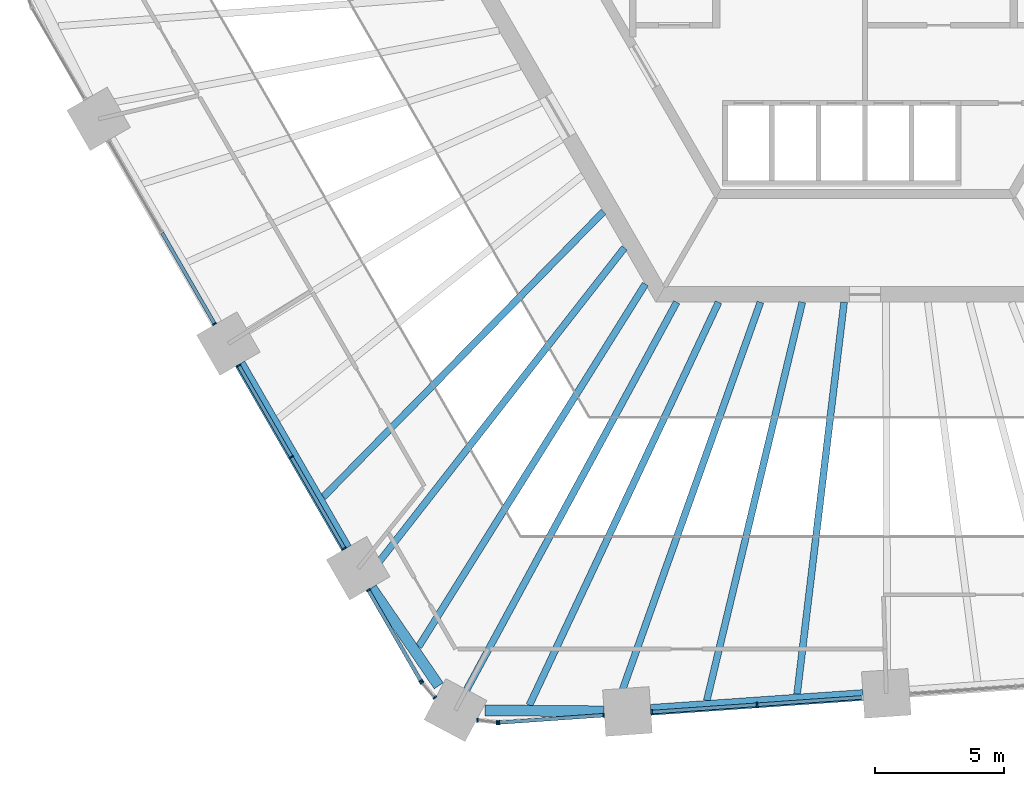
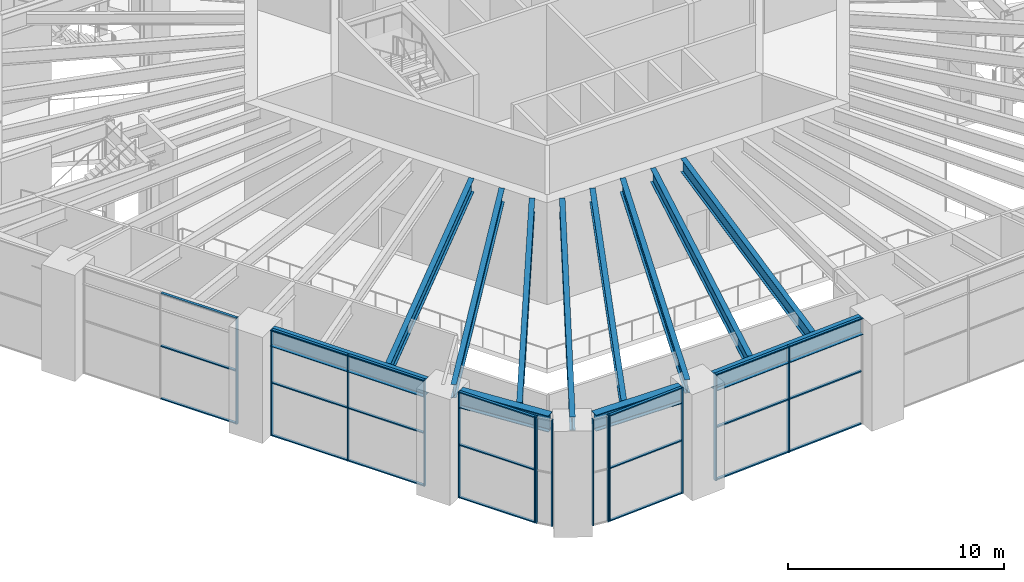
# One storey, part 3 of 32: 35 members, 12 beams, 7 elements without a shape of their own.
"""IFC4 building model written with IfcOpenShell, lengths in metres."""

from ifc_helpers import new_model, si_unit, direction, frame, origin, origin_2d, place, context, subcontext, project, spatial, rectangle, i_section, extrude, material, material_profile, profile_set, type_object, element, aggregate, save


model = new_model("IFC4")

# Units and contexts
model_context = context("Model", 3, precision=1e-05, world=origin(), true_north=direction((0.0, 1.0)))
body_context = subcontext(model_context, "Body", "Model", "MODEL_VIEW")
ifc_project = project(units=[si_unit("LENGTHUNIT", "METRE"), si_unit("AREAUNIT", "SQUARE_METRE"), si_unit("VOLUMEUNIT", "CUBIC_METRE"), si_unit("PLANEANGLEUNIT", "RADIAN"), si_unit("MASSUNIT", "GRAM", prefix="KILO")], contexts=[model_context])

# Site, building, storey
site_placement = place(None, origin())
site = spatial("IfcSite", under=ifc_project, at=site_placement, CompositionType="ELEMENT")
building_placement = place(site_placement, origin())
building = spatial("IfcBuilding", under=site, at=building_placement, Name="Tarnside Tower", CompositionType="ELEMENT")
storey_placement = place(building_placement, frame((0.0, 0.0, 9.0)))
storey = spatial("IfcBuildingStorey", under=building, at=storey_placement, Name="L01", CompositionType="ELEMENT", Elevation=9.0)

# Beams
ifc_material_1 = material(Name="Steel S355", Category="steel")
ifc_material_profile_1 = material_profile(ifc_material_1, i_section(OverallWidth=0.26513671875, OverallDepth=0.75390625, WebThickness=0.0126953125, FlangeThickness=0.017578125, FilletRadius=0.0166015625, at=origin_2d()), Name="UB 762x267x147")
ifc_profile_set_1 = profile_set([ifc_material_profile_1], Name="Steel S355")
beam_type_1 = type_object("IfcBeamType", Name="Floor beam UB 762x267x147", PredefinedType="BEAM", material=ifc_profile_set_1)
beam_1_placement = place(storey_placement, frame((-20.9296875, -21.528076171875, 5.373046875), z_axis=(0.700544155211, 0.713609057258, 0.0), x_axis=(-0.713609057258, 0.700544155211, 0.0)))
element("IfcBeam", 1, at=beam_1_placement, inside=storey, type_object=beam_type_1, Name="Floor beam F3.07", PredefinedType="BEAM", context=body_context, shape_type="SweptSolid", body=[
    extrude(i_section(OverallWidth=0.26513671875, OverallDepth=0.75390625, WebThickness=0.0126953125, FlangeThickness=0.017578125, FilletRadius=0.0166015625, at=origin_2d()), origin(), (0.0, 0.0, 1.0), 15.453857421875),
])
beam_2_placement = place(storey_placement, frame((-6.113037109375, -29.3876953125, 5.373046875), z_axis=(0.233085254069, 0.972456304589, 0.0), x_axis=(-0.972456304589, 0.233085254069, 0.0)))
element("IfcBeam", 2, at=beam_2_placement, inside=storey, type_object=beam_type_1, Name="Floor beam F4.03", PredefinedType="BEAM", context=body_context, shape_type="SweptSolid", body=[
    extrude(i_section(OverallWidth=0.26513671875, OverallDepth=0.75390625, WebThickness=0.0126953125, FlangeThickness=0.017578125, FilletRadius=0.0166015625, at=origin_2d()), origin(), (0.0, 0.0, 1.0), 15.823486328125),
])
beam_3_placement = place(storey_placement, frame((-2.62451171875, -29.143798828125, 5.373046875), z_axis=(0.119074527858, 0.992885319065, 0.0), x_axis=(-0.992885319065, 0.119074527858, 0.0)))
element("IfcBeam", 3, at=beam_3_placement, inside=storey, type_object=beam_type_1, Name="Floor beam F4.04", PredefinedType="BEAM", context=body_context, shape_type="SweptSolid", body=[
    extrude(i_section(OverallWidth=0.26513671875, OverallDepth=0.75390625, WebThickness=0.0126953125, FlangeThickness=0.017578125, FilletRadius=0.0166015625, at=origin_2d()), origin(), (0.0, 0.0, 1.0), 15.252197265625),
])
ifc_material_profile_2 = material_profile(ifc_material_1, i_section(OverallWidth=0.2666015625, OverallDepth=0.76220703125, WebThickness=0.014404296875, FlangeThickness=0.021484375, FilletRadius=0.0166015625, at=origin_2d()), Name="UB 762x267x173")
ifc_profile_set_2 = profile_set([ifc_material_profile_2], Name="Steel S355")
beam_type_2 = type_object("IfcBeamType", Name="Floor beam UB 762x267x173", PredefinedType="BEAM", material=ifc_profile_set_2)
beam_4_placement = place(storey_placement, frame((-19.159912109375, -24.52587890625, 5.368896484375), z_axis=(0.615661783207, 0.788010513063, 0.0), x_axis=(-0.788010513063, 0.615661783207, 0.0)))
element("IfcBeam", 4, at=beam_4_placement, inside=storey, type_object=beam_type_2, Name="Floor beam F3.08", PredefinedType="BEAM", context=body_context, shape_type="SweptSolid", body=[
    extrude(i_section(OverallWidth=0.2666015625, OverallDepth=0.76220703125, WebThickness=0.014404296875, FlangeThickness=0.021484375, FilletRadius=0.0166015625, at=origin_2d()), origin(), (0.0, 0.0, 1.0), 16.022705078125),
])
beam_5_placement = place(storey_placement, frame((-17.248779296875, -27.31103515625, 5.368896484375), z_axis=(0.530210075877, 0.847866307526, 0.0), x_axis=(-0.847866307526, 0.530210075877, 0.0)))
element("IfcBeam", 5, at=beam_5_placement, inside=storey, type_object=beam_type_2, Name="Floor beam F3.09", PredefinedType="BEAM", context=body_context, shape_type="SweptSolid", body=[
    extrude(i_section(OverallWidth=0.2666015625, OverallDepth=0.76220703125, WebThickness=0.014404296875, FlangeThickness=0.021484375, FilletRadius=0.0166015625, at=origin_2d()), origin(), (0.0, 0.0, 1.0), 16.52490234375),
])
beam_6_placement = place(storey_placement, frame((-15.70458984375, -29.550537109375, 5.368896484375), z_axis=(0.476577025957, 0.879132719406, 0.0), x_axis=(-0.879132719406, 0.476577025957, 0.0)))
element("IfcBeam", 6, at=beam_6_placement, inside=storey, type_object=beam_type_2, Name="Floor beam C3", PredefinedType="BEAM", context=body_context, shape_type="SweptSolid", body=[
    extrude(i_section(OverallWidth=0.2666015625, OverallDepth=0.76220703125, WebThickness=0.014404296875, FlangeThickness=0.021484375, FilletRadius=0.0166015625, at=origin_2d()), origin(), (0.0, 0.0, 1.0), 17.6884765625),
])
beam_7_placement = place(storey_placement, frame((-12.9677734375, -29.572265625, 5.368896484375), z_axis=(0.424925412272, 0.905228365665, 0.0), x_axis=(-0.905228365665, 0.424925412272, 0.0)))
element("IfcBeam", 7, at=beam_7_placement, inside=storey, type_object=beam_type_2, Name="Floor beam F4.01", PredefinedType="BEAM", context=body_context, shape_type="SweptSolid", body=[
    extrude(i_section(OverallWidth=0.2666015625, OverallDepth=0.76220703125, WebThickness=0.014404296875, FlangeThickness=0.021484375, FilletRadius=0.0166015625, at=origin_2d()), origin(), (0.0, 0.0, 1.0), 17.20263671875),
])
beam_8_placement = place(storey_placement, frame((-9.59130859375, -29.599365234375, 5.368896484375), z_axis=(0.335190018245, 0.942150546181, 0.0), x_axis=(-0.942150546181, 0.335190018245, 0.0)))
element("IfcBeam", 8, at=beam_8_placement, inside=storey, type_object=beam_type_2, Name="Floor beam F4.02", PredefinedType="BEAM", context=body_context, shape_type="SweptSolid", body=[
    extrude(i_section(OverallWidth=0.2666015625, OverallDepth=0.76220703125, WebThickness=0.014404296875, FlangeThickness=0.021484375, FilletRadius=0.0166015625, at=origin_2d()), origin(), (0.0, 0.0, 1.0), 16.55712890625),
])

# Curtain wall, members
ifc_material_2 = material(Name="Lobby entrance glazing wall", Category="glass")
curtain_wall_type_1 = type_object("IfcCurtainWallType", Name="Lobby entrance glazing wall", PredefinedType="NOTDEFINED", material=ifc_material_2)
curtain_wall_1_placement = place(storey_placement, origin())
curtain_wall_1 = element("IfcCurtainWall", 9, at=curtain_wall_1_placement, inside=storey, type_object=curtain_wall_type_1, Name="Lobby entrance glazing L01 12.0", PredefinedType="NOTDEFINED")
ifc_material_3 = material(Name="Aluminium alloy 6063", Category="aluminium")
ifc_material_profile_3 = material_profile(ifc_material_3, rectangle(XDim=0.179931640625, YDim=0.070068359375, at=origin_2d()), Name="Lobby entrance glazing mullion 70 x 180")
ifc_profile_set_3 = profile_set([ifc_material_profile_3], Name="Aluminium alloy 6063")
member_type_1 = type_object("IfcMemberType", Name="Lobby entrance glazing mullion 70 x 180", PredefinedType="MULLION", material=ifc_profile_set_3)
member_1_placement = place(storey_placement, frame((-8.238525390625, -29.83740234375, -0.25), z_axis=(0.0, 0.0, 1.0), x_axis=(-0.069756473779, 0.997564050257, 0.0)))
member_1 = element("IfcMember", 10, at=member_1_placement, type_object=member_type_1, Name="CW3 mullion 1", PredefinedType="MULLION", context=body_context, shape_type="SweptSolid", body=[
    extrude(rectangle(XDim=0.179931640625, YDim=0.070068359375, at=origin_2d()), origin(), (0.0, 0.0, 1.0), 6.0),
])
member_2_placement = place(storey_placement, frame((-4.171630859375, -29.552978515625, -0.25), z_axis=(0.0, 0.0, 1.0), x_axis=(-0.069756473779, 0.997564050257, 0.0)))
member_2 = element("IfcMember", 11, at=member_2_placement, type_object=member_type_1, Name="CW3 mullion 2", PredefinedType="MULLION", context=body_context, shape_type="SweptSolid", body=[
    extrude(rectangle(XDim=0.179931640625, YDim=0.070068359375, at=origin_2d()), origin(), (0.0, 0.0, 1.0), 6.0),
])
ifc_material_profile_4 = material_profile(ifc_material_3, rectangle(XDim=0.139892578125, YDim=0.070068359375, at=origin_2d()), Name="Lobby entrance glazing transom 70 x 140")
ifc_profile_set_4 = profile_set([ifc_material_profile_4], Name="Aluminium alloy 6063")
member_type_2 = type_object("IfcMemberType", Name="Lobby entrance glazing transom 70 x 140", PredefinedType="USERDEFINED", material=ifc_profile_set_4)
member_3_placement = place(storey_placement, frame((-8.20361328125, -29.8349609375, -0.215087890625), z_axis=(0.997563379301, 0.069766068245, 0.0), x_axis=(-0.069766068245, 0.997563379301, 0.0)))
member_3 = element("IfcMember", 12, at=member_3_placement, type_object=member_type_2, Name="CW3 transom 1.1", ObjectType="TRANSOM", PredefinedType="USERDEFINED", context=body_context, shape_type="SweptSolid", body=[
    extrude(rectangle(XDim=0.139892578125, YDim=0.070068359375, at=origin_2d()), origin(), (0.0, 0.0, 1.0), 4.0068359375),
])
member_4_placement = place(storey_placement, frame((-8.20361328125, -29.8349609375, 2.75), z_axis=(0.997563379301, 0.069766068245, 0.0), x_axis=(-0.069766068245, 0.997563379301, 0.0)))
member_4 = element("IfcMember", 13, at=member_4_placement, type_object=member_type_2, Name="CW3 transom 1.2", ObjectType="TRANSOM", PredefinedType="USERDEFINED", context=body_context, shape_type="SweptSolid", body=[
    extrude(rectangle(XDim=0.139892578125, YDim=0.070068359375, at=origin_2d()), origin(), (0.0, 0.0, 1.0), 4.0068359375),
])
member_5_placement = place(storey_placement, frame((-8.20361328125, -29.8349609375, 5.715087890625), z_axis=(0.997563379301, 0.069766068245, 0.0), x_axis=(-0.069766068245, 0.997563379301, 0.0)))
member_5 = element("IfcMember", 14, at=member_5_placement, type_object=member_type_2, Name="CW3 transom 1.3", ObjectType="TRANSOM", PredefinedType="USERDEFINED", context=body_context, shape_type="SweptSolid", body=[
    extrude(rectangle(XDim=0.139892578125, YDim=0.070068359375, at=origin_2d()), origin(), (0.0, 0.0, 1.0), 4.0068359375),
])
member_6_placement = place(storey_placement, frame((-4.13671875, -29.550537109375, -0.215087890625), z_axis=(0.997563379301, 0.069766068245, 0.0), x_axis=(-0.069766068245, 0.997563379301, 0.0)))
member_6 = element("IfcMember", 15, at=member_6_placement, type_object=member_type_2, Name="CW3 transom 2.1", ObjectType="TRANSOM", PredefinedType="USERDEFINED", context=body_context, shape_type="SweptSolid", body=[
    extrude(rectangle(XDim=0.139892578125, YDim=0.070068359375, at=origin_2d()), origin(), (0.0, 0.0, 1.0), 4.0068359375),
])
member_7_placement = place(storey_placement, frame((-4.13671875, -29.550537109375, 2.75), z_axis=(0.997563379301, 0.069766068245, 0.0), x_axis=(-0.069766068245, 0.997563379301, 0.0)))
member_7 = element("IfcMember", 16, at=member_7_placement, type_object=member_type_2, Name="CW3 transom 2.2", ObjectType="TRANSOM", PredefinedType="USERDEFINED", context=body_context, shape_type="SweptSolid", body=[
    extrude(rectangle(XDim=0.139892578125, YDim=0.070068359375, at=origin_2d()), origin(), (0.0, 0.0, 1.0), 4.0068359375),
])
member_8_placement = place(storey_placement, frame((-4.13671875, -29.550537109375, 5.715087890625), z_axis=(0.997563379301, 0.069766068245, 0.0), x_axis=(-0.069766068245, 0.997563379301, 0.0)))
member_8 = element("IfcMember", 17, at=member_8_placement, type_object=member_type_2, Name="CW3 transom 2.3", ObjectType="TRANSOM", PredefinedType="USERDEFINED", context=body_context, shape_type="SweptSolid", body=[
    extrude(rectangle(XDim=0.139892578125, YDim=0.070068359375, at=origin_2d()), origin(), (0.0, 0.0, 1.0), 4.0068359375),
])
aggregate(curtain_wall_1, [member_1, member_2, member_3, member_4, member_5, member_6, member_7, member_8])

# Beams
ifc_material_4 = material(Name="Steel S460", Category="steel")
ifc_material_profile_5 = material_profile(ifc_material_4, i_section(OverallWidth=0.42041015625, OverallDepth=0.9208984375, WebThickness=0.021484375, FlangeThickness=0.03662109375, FilletRadius=0.024169921875, at=origin_2d()), Name="UB 914x419x388")
ifc_profile_set_5 = profile_set([ifc_material_profile_5], Name="Steel S460")
beam_type_3 = type_object("IfcBeamType", Name="Perimeter girder UB 914x419x388", PredefinedType="BEAM", material=ifc_profile_set_5)
beam_9_placement = place(storey_placement, frame((-24.145751953125, -16.378173828125, 5.28955078125), z_axis=(0.499989712218, -0.866031343357, 0.0), x_axis=(0.866031343357, 0.499989712218, 0.0)))
element("IfcBeam", 18, at=beam_9_placement, inside=storey, type_object=beam_type_3, Name="Perimeter girder M10", PredefinedType="BEAM", context=body_context, shape_type="SweptSolid", body=[
    extrude(i_section(OverallWidth=0.42041015625, OverallDepth=0.9208984375, WebThickness=0.021484375, FlangeThickness=0.03662109375, FilletRadius=0.024169921875, at=origin_2d()), origin(), (0.0, 0.0, 1.0), 8.223876953125),
])
for number, where, z_axis, x_axis, name in (
    (19, (-19.0634765625, -25.0380859375, 5.28955078125), (0.56579211703, -0.824547924809, 0.0), (0.824547924809, 0.56579211703, 0.0), "Perimeter girder M11"),
    (20, (-14.68359375, -29.768798828125, 5.28955078125), (0.999968120657, -0.007984839931, 0.0), (0.007984839931, 0.999968120657, 0.0), "Perimeter girder M12"),
):
    element("IfcBeam", number, at=place(storey_placement, frame(where, z_axis=z_axis, x_axis=x_axis)), inside=storey, type_object=beam_type_3, Name=name, PredefinedType="BEAM", context=body_context, shape_type="SweptSolid", body=[
        extrude(i_section(OverallWidth=0.42041015625, OverallDepth=0.9208984375, WebThickness=0.021484375, FlangeThickness=0.03662109375, FilletRadius=0.024169921875, at=origin_2d()), origin(), (0.0, 0.0, 1.0), 4.58642578125),
    ])
beam_10_placement = place(storey_placement, frame((-8.27978515625, -29.75, 5.28955078125), z_axis=(0.99756353515, 0.069763839764, 0.0), x_axis=(-0.069763839764, 0.99756353515, 0.0)))
element("IfcBeam", 21, at=beam_10_placement, inside=storey, type_object=beam_type_3, Name="Perimeter girder M13", PredefinedType="BEAM", context=body_context, shape_type="SweptSolid", body=[
    extrude(i_section(OverallWidth=0.42041015625, OverallDepth=0.9208984375, WebThickness=0.021484375, FlangeThickness=0.03662109375, FilletRadius=0.024169921875, at=origin_2d()), origin(), (0.0, 0.0, 1.0), 8.223876953125),
])

# Curtain wall, member
ifc_material_5 = material(Name="Retail shopfront glazing wall", Category="glass")
curtain_wall_type_2 = type_object("IfcCurtainWallType", Name="Retail shopfront glazing wall", PredefinedType="NOTDEFINED", material=ifc_material_5)
curtain_wall_2_placement = place(storey_placement, origin())
curtain_wall_2 = element("IfcCurtainWall", 22, at=curtain_wall_2_placement, inside=storey, type_object=curtain_wall_type_2, Name="Retail shopfront glazing L01 08.0", PredefinedType="NOTDEFINED")
ifc_material_profile_6 = material_profile(ifc_material_3, rectangle(XDim=0.159912109375, YDim=0.06005859375, at=origin_2d()), Name="Retail shopfront glazing mullion 60 x 160")
ifc_profile_set_6 = profile_set([ifc_material_profile_6], Name="Aluminium alloy 6063")
member_type_3 = type_object("IfcMemberType", Name="Retail shopfront glazing mullion 60 x 160", PredefinedType="MULLION", material=ifc_profile_set_6)
member_9_placement = place(storey_placement, frame((-25.130126953125, -14.83349609375, -0.25), z_axis=(0.0, 0.0, 1.0), x_axis=(0.866025403819, 0.49999999994, 0.0)))
member_9 = element("IfcMember", 23, at=member_9_placement, type_object=member_type_3, Name="CW2 mullion 3", PredefinedType="MULLION", context=body_context, shape_type="SweptSolid", body=[
    extrude(rectangle(XDim=0.159912109375, YDim=0.06005859375, at=origin_2d()), origin(), (0.0, 0.0, 1.0), 6.0),
])

# Curtain wall, members
curtain_wall_3_placement = place(storey_placement, origin())
curtain_wall_3 = element("IfcCurtainWall", 24, at=curtain_wall_3_placement, inside=storey, type_object=curtain_wall_type_2, Name="Retail shopfront glazing L01 09.0", PredefinedType="NOTDEFINED")
member_10_placement = place(storey_placement, frame((-24.2001953125, -16.4443359375, -0.25), z_axis=(0.0, 0.0, 1.0), x_axis=(0.866025403741, 0.500000000076, 0.0)))
member_10 = element("IfcMember", 25, at=member_10_placement, type_object=member_type_3, Name="CW2 mullion 1", PredefinedType="MULLION", context=body_context, shape_type="SweptSolid", body=[
    extrude(rectangle(XDim=0.159912109375, YDim=0.06005859375, at=origin_2d()), origin(), (0.0, 0.0, 1.0), 6.0),
])
member_11_placement = place(storey_placement, frame((-22.1591796875, -19.979248046875, -0.25), z_axis=(0.0, 0.0, 1.0), x_axis=(0.866025403741, 0.500000000076, 0.0)))
member_11 = element("IfcMember", 26, at=member_11_placement, type_object=member_type_3, Name="CW2 mullion 2", PredefinedType="MULLION", context=body_context, shape_type="SweptSolid", body=[
    extrude(rectangle(XDim=0.159912109375, YDim=0.06005859375, at=origin_2d()), origin(), (0.0, 0.0, 1.0), 6.0),
])
member_12_placement = place(storey_placement, frame((-20.1181640625, -23.51416015625, -0.25), z_axis=(0.0, 0.0, 1.0), x_axis=(0.866025403741, 0.500000000076, 0.0)))
member_12 = element("IfcMember", 27, at=member_12_placement, type_object=member_type_3, Name="CW2 mullion 3", PredefinedType="MULLION", context=body_context, shape_type="SweptSolid", body=[
    extrude(rectangle(XDim=0.159912109375, YDim=0.06005859375, at=origin_2d()), origin(), (0.0, 0.0, 1.0), 6.0),
])

curtain_wall_4_placement = place(storey_placement, origin())
curtain_wall_4 = element("IfcCurtainWall", 28, at=curtain_wall_4_placement, inside=storey, type_object=curtain_wall_type_2, Name="Retail shopfront glazing L01 10.0", PredefinedType="NOTDEFINED")
member_13_placement = place(storey_placement, frame((-19.188232421875, -25.125, -0.25), z_axis=(0.0, 0.0, 1.0), x_axis=(0.866025403872, 0.499999999849, 0.0)))
member_13 = element("IfcMember", 29, at=member_13_placement, type_object=member_type_3, Name="CW2 mullion 1", PredefinedType="MULLION", context=body_context, shape_type="SweptSolid", body=[
    extrude(rectangle(XDim=0.159912109375, YDim=0.06005859375, at=origin_2d()), origin(), (0.0, 0.0, 1.0), 6.0),
])
member_14_placement = place(storey_placement, frame((-17.162353515625, -28.634033203125, -0.25), z_axis=(0.0, 0.0, 1.0), x_axis=(0.866025403872, 0.499999999849, 0.0)))
member_14 = element("IfcMember", 30, at=member_14_placement, type_object=member_type_3, Name="CW2 mullion 2", PredefinedType="MULLION", context=body_context, shape_type="SweptSolid", body=[
    extrude(rectangle(XDim=0.159912109375, YDim=0.06005859375, at=origin_2d()), origin(), (0.0, 0.0, 1.0), 6.0),
])

curtain_wall_5_placement = place(storey_placement, origin())
curtain_wall_5 = element("IfcCurtainWall", 31, at=curtain_wall_5_placement, inside=storey, type_object=curtain_wall_type_2, Name="Retail shopfront glazing L01 10.1", PredefinedType="NOTDEFINED")
member_15_placement = place(storey_placement, frame((-17.119140625, -28.69482421875, -0.25), z_axis=(0.0, 0.0, 1.0), x_axis=(0.758513583345, 0.651657228826, 0.0)))
member_15 = element("IfcMember", 32, at=member_15_placement, type_object=member_type_3, Name="CW2 mullion 1", PredefinedType="MULLION", context=body_context, shape_type="SweptSolid", body=[
    extrude(rectangle(XDim=0.159912109375, YDim=0.06005859375, at=origin_2d()), origin(), (0.0, 0.0, 1.0), 6.0),
])
member_16_placement = place(storey_placement, frame((-16.623046875, -29.2724609375, -0.25), z_axis=(0.0, 0.0, 1.0), x_axis=(0.758513583345, 0.651657228826, 0.0)))
member_16 = element("IfcMember", 33, at=member_16_placement, type_object=member_type_3, Name="CW2 mullion 2", PredefinedType="MULLION", context=body_context, shape_type="SweptSolid", body=[
    extrude(rectangle(XDim=0.159912109375, YDim=0.06005859375, at=origin_2d()), origin(), (0.0, 0.0, 1.0), 6.0),
])
aggregate(curtain_wall_5, [member_15, member_16])

curtain_wall_6_placement = place(storey_placement, origin())
curtain_wall_6 = element("IfcCurtainWall", 34, at=curtain_wall_6_placement, inside=storey, type_object=curtain_wall_type_2, Name="Retail shopfront glazing L01 11.0", PredefinedType="NOTDEFINED")
member_17_placement = place(storey_placement, frame((-14.972412109375, -30.14990234375, -0.25), z_axis=(0.0, 0.0, 1.0), x_axis=(0.116092914044, 0.993238357751, 0.0)))
member_17 = element("IfcMember", 35, at=member_17_placement, type_object=member_type_3, Name="CW2 mullion 1", PredefinedType="MULLION", context=body_context, shape_type="SweptSolid", body=[
    extrude(rectangle(XDim=0.159912109375, YDim=0.06005859375, at=origin_2d()), origin(), (0.0, 0.0, 1.0), 6.0),
])
member_18_placement = place(storey_placement, frame((-14.21630859375, -30.23828125, -0.25), z_axis=(0.0, 0.0, 1.0), x_axis=(0.116092914044, 0.993238357751, 0.0)))
member_18 = element("IfcMember", 36, at=member_18_placement, type_object=member_type_3, Name="CW2 mullion 2", PredefinedType="MULLION", context=body_context, shape_type="SweptSolid", body=[
    extrude(rectangle(XDim=0.159912109375, YDim=0.06005859375, at=origin_2d()), origin(), (0.0, 0.0, 1.0), 6.0),
])
aggregate(curtain_wall_6, [member_17, member_18])

curtain_wall_7_placement = place(storey_placement, origin())
curtain_wall_7 = element("IfcCurtainWall", 37, at=curtain_wall_7_placement, inside=storey, type_object=curtain_wall_type_2, Name="Retail shopfront glazing L01 11.1", PredefinedType="NOTDEFINED")
member_19_placement = place(storey_placement, frame((-14.1416015625, -30.240234375, -0.25), z_axis=(0.0, 0.0, 1.0), x_axis=(-0.069756473918, 0.997564050248, 0.0)))
member_19 = element("IfcMember", 38, at=member_19_placement, type_object=member_type_3, Name="CW2 mullion 1", PredefinedType="MULLION", context=body_context, shape_type="SweptSolid", body=[
    extrude(rectangle(XDim=0.159912109375, YDim=0.06005859375, at=origin_2d()), origin(), (0.0, 0.0, 1.0), 6.0),
])
member_20_placement = place(storey_placement, frame((-10.099609375, -29.95751953125, -0.25), z_axis=(0.0, 0.0, 1.0), x_axis=(-0.069756473918, 0.997564050248, 0.0)))
member_20 = element("IfcMember", 39, at=member_20_placement, type_object=member_type_3, Name="CW2 mullion 2", PredefinedType="MULLION", context=body_context, shape_type="SweptSolid", body=[
    extrude(rectangle(XDim=0.159912109375, YDim=0.06005859375, at=origin_2d()), origin(), (0.0, 0.0, 1.0), 6.0),
])

# Member
ifc_material_profile_7 = material_profile(ifc_material_3, rectangle(XDim=0.139892578125, YDim=0.06005859375, at=origin_2d()), Name="Retail shopfront glazing transom 60 x 140")
ifc_profile_set_7 = profile_set([ifc_material_profile_7], Name="Aluminium alloy 6063")
member_type_4 = type_object("IfcMemberType", Name="Retail shopfront glazing transom 60 x 140", PredefinedType="USERDEFINED", material=ifc_profile_set_7)
member_21_placement = place(storey_placement, frame((-27.156005859375, -11.324462890625, -0.219970703125), z_axis=(0.500023722852, -0.866011706956, 0.0), x_axis=(0.866011706956, 0.500023722852, 0.0)))
member_21 = element("IfcMember", 40, at=member_21_placement, type_object=member_type_4, Name="CW2 transom 2.1", ObjectType="TRANSOM", PredefinedType="USERDEFINED", context=body_context, shape_type="SweptSolid", body=[
    extrude(rectangle(XDim=0.139892578125, YDim=0.06005859375, at=origin_2d()), origin(), (0.0, 0.0, 1.0), 4.021728515625),
])

member_22_placement = place(storey_placement, frame((-27.156005859375, -11.324462890625, 2.75), z_axis=(0.500023722852, -0.866011706956, 0.0), x_axis=(0.866011706956, 0.500023722852, 0.0)))
member_22 = element("IfcMember", 41, at=member_22_placement, type_object=member_type_4, Name="CW2 transom 2.2", ObjectType="TRANSOM", PredefinedType="USERDEFINED", context=body_context, shape_type="SweptSolid", body=[
    extrude(rectangle(XDim=0.139892578125, YDim=0.06005859375, at=origin_2d()), origin(), (0.0, 0.0, 1.0), 4.021728515625),
])

member_23_placement = place(storey_placement, frame((-27.156005859375, -11.324462890625, 5.719970703125), z_axis=(0.500023722852, -0.866011706956, 0.0), x_axis=(0.866011706956, 0.500023722852, 0.0)))
member_23 = element("IfcMember", 42, at=member_23_placement, type_object=member_type_4, Name="CW2 transom 2.3", ObjectType="TRANSOM", PredefinedType="USERDEFINED", context=body_context, shape_type="SweptSolid", body=[
    extrude(rectangle(XDim=0.139892578125, YDim=0.06005859375, at=origin_2d()), origin(), (0.0, 0.0, 1.0), 4.021728515625),
])

aggregate(curtain_wall_2, [member_9, member_21, member_22, member_23])

member_24_placement = place(storey_placement, frame((-24.18505859375, -16.47021484375, -0.219970703125), z_axis=(0.500023722852, -0.866011706956, 0.0), x_axis=(0.866011706956, 0.500023722852, 0.0)))
member_24 = element("IfcMember", 43, at=member_24_placement, type_object=member_type_4, Name="CW2 transom 1.1", ObjectType="TRANSOM", PredefinedType="USERDEFINED", context=body_context, shape_type="SweptSolid", body=[
    extrude(rectangle(XDim=0.139892578125, YDim=0.06005859375, at=origin_2d()), origin(), (0.0, 0.0, 1.0), 4.021728515625),
])

member_25_placement = place(storey_placement, frame((-24.18505859375, -16.47021484375, 2.75), z_axis=(0.500023722852, -0.866011706956, 0.0), x_axis=(0.866011706956, 0.500023722852, 0.0)))
member_25 = element("IfcMember", 44, at=member_25_placement, type_object=member_type_4, Name="CW2 transom 1.2", ObjectType="TRANSOM", PredefinedType="USERDEFINED", context=body_context, shape_type="SweptSolid", body=[
    extrude(rectangle(XDim=0.139892578125, YDim=0.06005859375, at=origin_2d()), origin(), (0.0, 0.0, 1.0), 4.021728515625),
])

member_26_placement = place(storey_placement, frame((-24.18505859375, -16.47021484375, 5.719970703125), z_axis=(0.500023722852, -0.866011706956, 0.0), x_axis=(0.866011706956, 0.500023722852, 0.0)))
member_26 = element("IfcMember", 45, at=member_26_placement, type_object=member_type_4, Name="CW2 transom 1.3", ObjectType="TRANSOM", PredefinedType="USERDEFINED", context=body_context, shape_type="SweptSolid", body=[
    extrude(rectangle(XDim=0.139892578125, YDim=0.06005859375, at=origin_2d()), origin(), (0.0, 0.0, 1.0), 4.021728515625),
])

member_27_placement = place(storey_placement, frame((-22.14404296875, -20.005126953125, -0.219970703125), z_axis=(0.499951909034, -0.866053167337, 0.0), x_axis=(0.866053167337, 0.499951909034, 0.0)))
member_27 = element("IfcMember", 46, at=member_27_placement, type_object=member_type_4, Name="CW2 transom 2.1", ObjectType="TRANSOM", PredefinedType="USERDEFINED", context=body_context, shape_type="SweptSolid", body=[
    extrude(rectangle(XDim=0.139892578125, YDim=0.06005859375, at=origin_2d()), origin(), (0.0, 0.0, 1.0), 4.02197265625),
])

member_28_placement = place(storey_placement, frame((-22.14404296875, -20.005126953125, 2.75), z_axis=(0.499951909034, -0.866053167337, 0.0), x_axis=(0.866053167337, 0.499951909034, 0.0)))
member_28 = element("IfcMember", 47, at=member_28_placement, type_object=member_type_4, Name="CW2 transom 2.2", ObjectType="TRANSOM", PredefinedType="USERDEFINED", context=body_context, shape_type="SweptSolid", body=[
    extrude(rectangle(XDim=0.139892578125, YDim=0.06005859375, at=origin_2d()), origin(), (0.0, 0.0, 1.0), 4.02197265625),
])

member_29_placement = place(storey_placement, frame((-22.14404296875, -20.005126953125, 5.719970703125), z_axis=(0.499951909034, -0.866053167337, 0.0), x_axis=(0.866053167337, 0.499951909034, 0.0)))
member_29 = element("IfcMember", 48, at=member_29_placement, type_object=member_type_4, Name="CW2 transom 2.3", ObjectType="TRANSOM", PredefinedType="USERDEFINED", context=body_context, shape_type="SweptSolid", body=[
    extrude(rectangle(XDim=0.139892578125, YDim=0.06005859375, at=origin_2d()), origin(), (0.0, 0.0, 1.0), 4.02197265625),
])

aggregate(curtain_wall_3, [member_10, member_11, member_12, member_24, member_25, member_26, member_27, member_28, member_29])

member_30_placement = place(storey_placement, frame((-19.17333984375, -25.15087890625, -0.219970703125), z_axis=(0.500033033937, -0.866006330792, 0.0), x_axis=(0.866006330792, 0.500033033937, 0.0)))
member_30 = element("IfcMember", 49, at=member_30_placement, type_object=member_type_4, Name="CW2 transom 1.1", ObjectType="TRANSOM", PredefinedType="USERDEFINED", context=body_context, shape_type="SweptSolid", body=[
    extrude(rectangle(XDim=0.139892578125, YDim=0.06005859375, at=origin_2d()), origin(), (0.0, 0.0, 1.0), 3.991943359375),
])

member_31_placement = place(storey_placement, frame((-19.17333984375, -25.15087890625, 2.75), z_axis=(0.500033033937, -0.866006330792, 0.0), x_axis=(0.866006330792, 0.500033033937, 0.0)))
member_31 = element("IfcMember", 50, at=member_31_placement, type_object=member_type_4, Name="CW2 transom 1.2", ObjectType="TRANSOM", PredefinedType="USERDEFINED", context=body_context, shape_type="SweptSolid", body=[
    extrude(rectangle(XDim=0.139892578125, YDim=0.06005859375, at=origin_2d()), origin(), (0.0, 0.0, 1.0), 3.991943359375),
])

member_32_placement = place(storey_placement, frame((-19.17333984375, -25.15087890625, 5.719970703125), z_axis=(0.500033033937, -0.866006330792, 0.0), x_axis=(0.866006330792, 0.500033033937, 0.0)))
member_32 = element("IfcMember", 51, at=member_32_placement, type_object=member_type_4, Name="CW2 transom 1.3", ObjectType="TRANSOM", PredefinedType="USERDEFINED", context=body_context, shape_type="SweptSolid", body=[
    extrude(rectangle(XDim=0.139892578125, YDim=0.06005859375, at=origin_2d()), origin(), (0.0, 0.0, 1.0), 3.991943359375),
])

aggregate(curtain_wall_4, [member_13, member_14, member_30, member_31, member_32])

member_33_placement = place(storey_placement, frame((-14.111572265625, -30.238037109375, -0.219970703125), z_axis=(0.997561948586, 0.069786522583, 0.0), x_axis=(-0.069786522583, 0.997561948586, 0.0)))
member_33 = element("IfcMember", 52, at=member_33_placement, type_object=member_type_4, Name="CW2 transom 1.1", ObjectType="TRANSOM", PredefinedType="USERDEFINED", context=body_context, shape_type="SweptSolid", body=[
    extrude(rectangle(XDim=0.139892578125, YDim=0.06005859375, at=origin_2d()), origin(), (0.0, 0.0, 1.0), 3.99169921875),
])

member_34_placement = place(storey_placement, frame((-14.111572265625, -30.238037109375, 2.75), z_axis=(0.997561948586, 0.069786522583, 0.0), x_axis=(-0.069786522583, 0.997561948586, 0.0)))
member_34 = element("IfcMember", 53, at=member_34_placement, type_object=member_type_4, Name="CW2 transom 1.2", ObjectType="TRANSOM", PredefinedType="USERDEFINED", context=body_context, shape_type="SweptSolid", body=[
    extrude(rectangle(XDim=0.139892578125, YDim=0.06005859375, at=origin_2d()), origin(), (0.0, 0.0, 1.0), 3.99169921875),
])

member_35_placement = place(storey_placement, frame((-14.111572265625, -30.238037109375, 5.719970703125), z_axis=(0.997561948586, 0.069786522583, 0.0), x_axis=(-0.069786522583, 0.997561948586, 0.0)))
member_35 = element("IfcMember", 54, at=member_35_placement, type_object=member_type_4, Name="CW2 transom 1.3", ObjectType="TRANSOM", PredefinedType="USERDEFINED", context=body_context, shape_type="SweptSolid", body=[
    extrude(rectangle(XDim=0.139892578125, YDim=0.06005859375, at=origin_2d()), origin(), (0.0, 0.0, 1.0), 3.99169921875),
])

aggregate(curtain_wall_7, [member_19, member_20, member_33, member_34, member_35])

save(model, "model.ifc")
